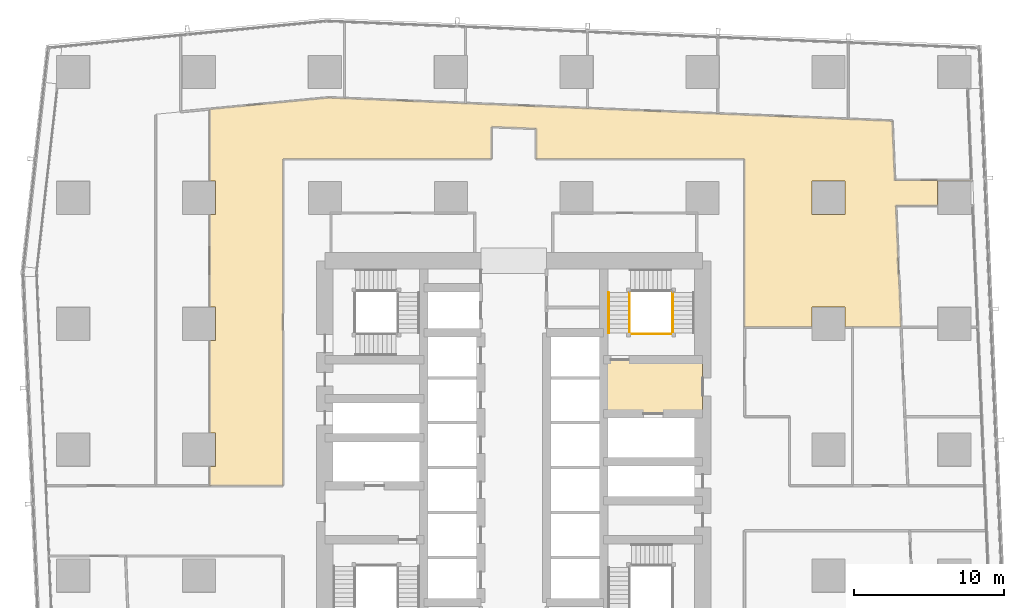
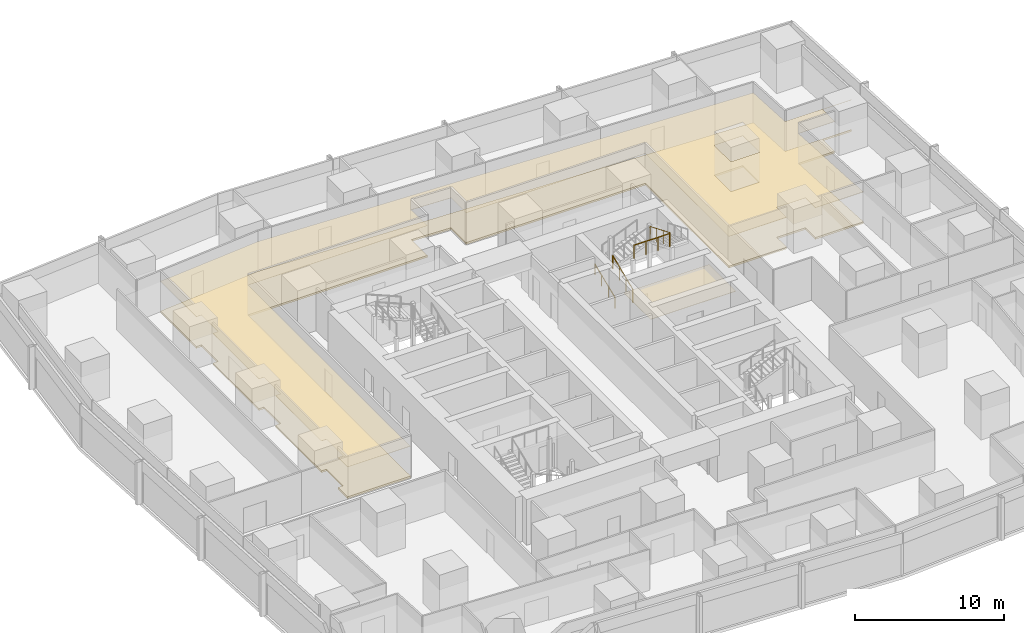
# One storey, part 42 of 44: 4 railings, 3 coverings.
"""IFC4 building model written with IfcOpenShell, lengths in metres."""

from ifc_helpers import new_model, si_unit, direction, frame, origin, origin_2d, place, context, subcontext, project, spatial, polyline, circle, outline, extrude, material, layer, layer_set, type_object, element, save


model = new_model("IFC4")

# Units and contexts
model_context = context("Model", 3, precision=1e-05, world=origin(), true_north=direction((0.0, 1.0)))
body_context = subcontext(model_context, "Body", "Model", "MODEL_VIEW")
ifc_project = project(units=[si_unit("LENGTHUNIT", "METRE"), si_unit("AREAUNIT", "SQUARE_METRE"), si_unit("VOLUMEUNIT", "CUBIC_METRE"), si_unit("PLANEANGLEUNIT", "RADIAN"), si_unit("MASSUNIT", "GRAM", prefix="KILO")], contexts=[model_context])

# Site, building, storey
site_placement = place(None, origin())
site = spatial("IfcSite", under=ifc_project, at=site_placement, CompositionType="ELEMENT")
building_placement = place(site_placement, origin())
building = spatial("IfcBuilding", under=site, at=building_placement, Name="Rekha Terrace Tower", CompositionType="ELEMENT")
storey_placement = place(building_placement, frame((0.0, 0.0, 62.89990234375)))
storey = spatial("IfcBuildingStorey", under=building, at=storey_placement, Name="L15", CompositionType="ELEMENT", Elevation=62.89990234375)

# Coverings
ifc_material_1 = material(Name="Mineral fibre tile in exposed grid", Category="finish")
ifc_layer_1 = layer(ifc_material_1, 0.02001953125)
ifc_layer_set_1 = layer_set([ifc_layer_1], Name="Mineral fibre tile in exposed grid")
covering_type_1 = type_object("IfcCoveringType", Name="CL1 600x1200 office grid ceiling", PredefinedType="CEILING", material=ifc_layer_set_1)
covering_1_placement = place(storey_placement, frame((0.0, 0.0, 2.580078125)))
element("IfcCovering", 1, at=covering_1_placement, inside=storey, type_object=covering_type_1, Name="Ceiling L15-O3", PredefinedType="CEILING", context=body_context, shape_type="SweptSolid", body=[
    extrude(outline(polyline([(34.5830078125, 56.714111328125), (26.509033203125, 57.047119140625), (25.466064453125, 57.090087890625), (17.51708984375, 56.325927734375), (17.51708984375, 51.514892578125), (17.9150390625, 51.514892578125), (17.9150390625, 49.284912109375), (17.51708984375, 49.284912109375), (17.51708984375, 43.114990234375), (17.9150390625, 43.114990234375), (17.9150390625, 40.885009765625), (17.51708984375, 40.885009765625), (17.51708984375, 34.715087890625), (17.9150390625, 34.715087890625), (17.9150390625, 32.485107421875), (17.51708984375, 32.485107421875), (17.51708984375, 31.199951171875), (22.39990234375, 31.199951171875), (22.39990234375, 53.0), (36.300048828125, 53.0), (36.300048828125, 55.14208984375), (39.300048828125, 55.01806640625), (39.300048828125, 53.0), (53.199951171875, 53.0), (53.199951171875, 41.781982421875), (57.68505859375, 41.781982421875), (57.68505859375, 43.114990234375), (59.9150390625, 43.114990234375), (59.9150390625, 41.781982421875), (63.638916015625, 41.781982421875), (63.29296875, 49.87890625), (66.0849609375, 49.87890625), (66.0849609375, 51.514892578125), (68.327880859375, 51.514892578125), (68.325927734375, 51.556884765625), (63.220947265625, 51.556884765625), (63.051025390625, 55.5400390625), (60.111083984375, 55.662109375), (51.4150390625, 56.02001953125), (42.718017578125, 56.37890625), (34.5830078125, 56.714111328125)]), holes=[polyline([(59.9150390625, 49.284912109375), (57.68505859375, 49.284912109375), (57.68505859375, 51.514892578125), (59.9150390625, 51.514892578125), (59.9150390625, 49.284912109375)])]), origin(), (0.0, 0.0, 1.0), 0.02001953125),
])
ifc_material_2 = material(Name="Powder-coated aluminium pan", Category="aluminium")
ifc_layer_2 = layer(ifc_material_2, 0.030029296875)
ifc_layer_set_2 = layer_set([ifc_layer_2], Name="Powder-coated aluminium pan")
covering_type_2 = type_object("IfcCoveringType", Name="CL3 300x1200 metal pan ceiling", PredefinedType="CEILING", material=ifc_layer_set_2)
covering_2_placement = place(storey_placement, frame((0.0, 0.0, 2.570068359375)))
element("IfcCovering", 2, at=covering_2_placement, inside=storey, type_object=covering_type_2, Name="Ceiling L15-FLB2", PredefinedType="CEILING", context=body_context, shape_type="SweptSolid", body=[
    extrude(outline(polyline([(50.39990234375, 39.60009765625), (43.800048828125, 39.60009765625), (43.800048828125, 36.0), (50.39990234375, 36.0), (50.39990234375, 39.60009765625)])), origin(), (0.0, 0.0, 1.0), 0.030029296875),
])

# Railings
ifc_material_3 = material(Name="Stainless steel balustrade", Category="steel")
railing_type_1 = type_object("IfcRailingType", Name="GR1 1100 stair guard", PredefinedType="GUARDRAIL", material=ifc_material_3)
railing_1_placement = place(storey_placement, frame((45.514892578125, 41.375, 0.125)))
element("IfcRailing", 3, at=railing_1_placement, inside=storey, type_object=railing_type_1, Name="Guard ST2 L15 flight 1", PredefinedType="GUARDRAIL", context=body_context, shape_type="SweptSolid", body=[
    extrude(circle(Radius=0.02392578125, at=origin_2d()), frame((0.0, 0.0, 1.076171875), z_axis=(0.0, 0.923074453586, 0.384621311341), x_axis=(-1.0, 0.0, 0.0)), (0.0, 0.0, 1.0), 2.925048828125),
    extrude(circle(Radius=0.02099609375, at=origin_2d()), origin(), (0.0, 0.0, 1.0), 1.052001953125),
    extrude(circle(Radius=0.02099609375, at=origin_2d()), frame((0.0, 0.89990234375, 0.375)), (0.0, 0.0, 1.0), 1.052001953125),
    extrude(circle(Radius=0.02099609375, at=origin_2d()), frame((0.0, 1.800048828125, 0.75)), (0.0, 0.0, 1.0), 1.052001953125),
    extrude(circle(Radius=0.02099609375, at=origin_2d()), frame((0.0, 2.699951171875, 1.125)), (0.0, 0.0, 1.0), 1.052001953125),
])
railing_2_placement = place(storey_placement, frame((48.409912109375, 44.074951171875, 2.625)))
element("IfcRailing", 4, at=railing_2_placement, inside=storey, type_object=railing_type_1, Name="Guard ST2 L15 flight 3", PredefinedType="GUARDRAIL", context=body_context, shape_type="SweptSolid", body=[
    extrude(circle(Radius=0.02392578125, at=origin_2d()), frame((0.0, 0.0, 1.076171875), z_axis=(0.0, -0.923074453586, 0.384621311341), x_axis=(1.0, 0.0, 0.0)), (0.0, 0.0, 1.0), 2.925048828125),
    extrude(circle(Radius=0.02099609375, at=origin_2d()), origin(), (0.0, 0.0, 1.0), 1.052001953125),
    extrude(circle(Radius=0.02099609375, at=origin_2d()), frame((0.0, -0.89990234375, 0.375)), (0.0, 0.0, 1.0), 1.052001953125),
    extrude(circle(Radius=0.02099609375, at=origin_2d()), frame((0.0, -1.800048828125, 0.75)), (0.0, 0.0, 1.0), 1.052001953125),
    extrude(circle(Radius=0.02099609375, at=origin_2d()), frame((0.0, -2.699951171875, 1.125)), (0.0, 0.0, 1.0), 1.052001953125),
])
railing_3_placement = place(storey_placement, frame((45.574951171875, 41.31494140625, 3.75)))
element("IfcRailing", 5, at=railing_3_placement, inside=storey, type_object=railing_type_1, Name="Guard ST2 L15 landing 4", PredefinedType="GUARDRAIL", context=body_context, shape_type="SweptSolid", body=[
    extrude(circle(Radius=0.02392578125, at=origin_2d()), frame((0.0, 0.0, 1.076171875), z_axis=(1.0, 0.0, 0.0), x_axis=(0.0, 1.0, 0.0)), (0.0, 0.0, 1.0), 2.775146484375),
    extrude(circle(Radius=0.02099609375, at=origin_2d()), origin(), (0.0, 0.0, 1.0), 1.052001953125),
    extrude(circle(Radius=0.02099609375, at=origin_2d()), frame((0.925048828125, 0.0, 0.0)), (0.0, 0.0, 1.0), 1.052001953125),
    extrude(circle(Radius=0.02099609375, at=origin_2d()), frame((1.85009765625, 0.0, 0.0)), (0.0, 0.0, 1.0), 1.052001953125),
    extrude(circle(Radius=0.02099609375, at=origin_2d()), frame((2.775146484375, 0.0, 0.0)), (0.0, 0.0, 1.0), 1.052001953125),
])
ifc_material_4 = material(Name="Stainless steel tube", Category="steel")
railing_type_2 = type_object("IfcRailingType", Name="HR1 900 stair handrail", PredefinedType="HANDRAIL", material=ifc_material_4)
railing_4_placement = place(storey_placement, frame((44.135009765625, 41.375, 0.125)))
element("IfcRailing", 6, at=railing_4_placement, inside=storey, type_object=railing_type_2, Name="Handrail ST2 L15 flight 1", PredefinedType="HANDRAIL", context=body_context, shape_type="SweptSolid", body=[
    extrude(circle(Radius=0.02392578125, at=origin_2d()), frame((0.0, 0.0, 0.8759765625), z_axis=(0.0, 0.923074453586, 0.384621311341), x_axis=(-1.0, 0.0, 0.0)), (0.0, 0.0, 1.0), 2.925048828125),
    extrude(circle(Radius=0.02099609375, at=origin_2d()), origin(), (0.0, 0.0, 1.0), 0.851806640625),
    extrude(circle(Radius=0.02099609375, at=origin_2d()), frame((0.0, 0.89990234375, 0.375)), (0.0, 0.0, 1.0), 0.851806640625),
    extrude(circle(Radius=0.02099609375, at=origin_2d()), frame((0.0, 1.800048828125, 0.75)), (0.0, 0.0, 1.0), 0.851806640625),
    extrude(circle(Radius=0.02099609375, at=origin_2d()), frame((0.0, 2.699951171875, 1.125)), (0.0, 0.0, 1.0), 0.851806640625),
])

# Covering
ifc_material_5 = material(Name="Calcium sulphate panels on steel pedestals", Category="steel")
ifc_layer_3 = layer(ifc_material_5, 0.14990234375)
ifc_layer_set_3 = layer_set([ifc_layer_3], Name="Calcium sulphate panels on steel pedestals")
covering_type_3 = type_object("IfcCoveringType", Name="RF1 150 raised access floor", PredefinedType="FLOORING", material=ifc_layer_set_3)
covering_3_placement = place(storey_placement, origin())
element("IfcCovering", 7, at=covering_3_placement, inside=storey, type_object=covering_type_3, Name="Raised floor L15-O3", PredefinedType="FLOORING", context=body_context, shape_type="SweptSolid", body=[
    extrude(outline(polyline([(34.5830078125, 56.714111328125), (26.509033203125, 57.047119140625), (25.466064453125, 57.090087890625), (17.51708984375, 56.325927734375), (17.51708984375, 51.514892578125), (17.9150390625, 51.514892578125), (17.9150390625, 49.284912109375), (17.51708984375, 49.284912109375), (17.51708984375, 43.114990234375), (17.9150390625, 43.114990234375), (17.9150390625, 40.885009765625), (17.51708984375, 40.885009765625), (17.51708984375, 34.715087890625), (17.9150390625, 34.715087890625), (17.9150390625, 32.485107421875), (17.51708984375, 32.485107421875), (17.51708984375, 31.199951171875), (22.39990234375, 31.199951171875), (22.39990234375, 53.0), (36.300048828125, 53.0), (36.300048828125, 55.14208984375), (39.300048828125, 55.01806640625), (39.300048828125, 53.0), (53.199951171875, 53.0), (53.199951171875, 41.781982421875), (57.68505859375, 41.781982421875), (57.68505859375, 43.114990234375), (59.9150390625, 43.114990234375), (59.9150390625, 41.781982421875), (63.638916015625, 41.781982421875), (63.29296875, 49.87890625), (66.0849609375, 49.87890625), (66.0849609375, 51.514892578125), (68.327880859375, 51.514892578125), (68.325927734375, 51.556884765625), (63.220947265625, 51.556884765625), (63.051025390625, 55.5400390625), (60.111083984375, 55.662109375), (51.4150390625, 56.02001953125), (42.718017578125, 56.37890625), (34.5830078125, 56.714111328125)]), holes=[polyline([(59.9150390625, 49.284912109375), (57.68505859375, 49.284912109375), (57.68505859375, 51.514892578125), (59.9150390625, 51.514892578125), (59.9150390625, 49.284912109375)])]), origin(), (0.0, 0.0, 1.0), 0.150146484375),
])

save(model, "model.ifc")
